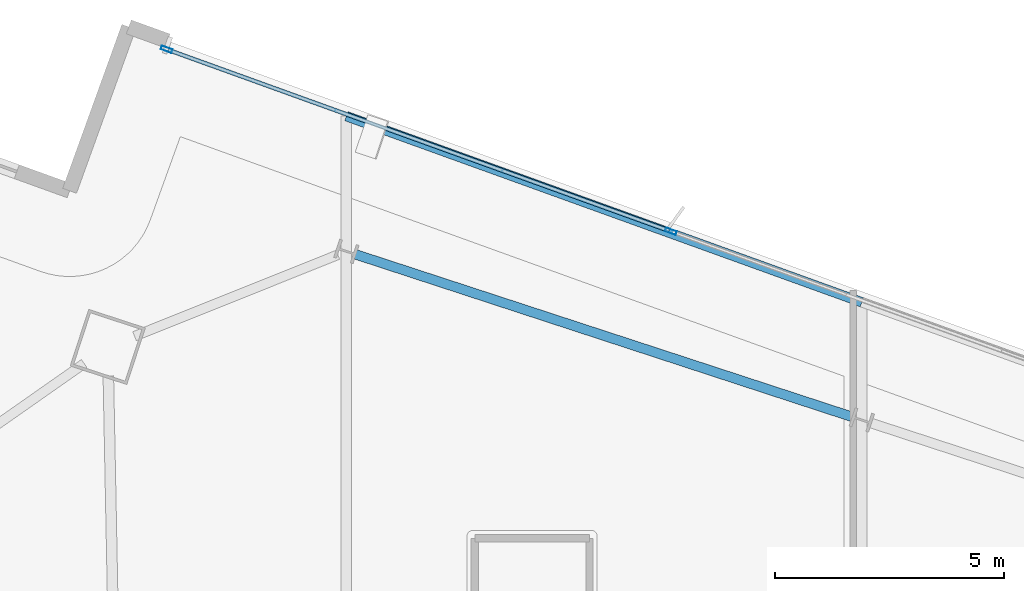
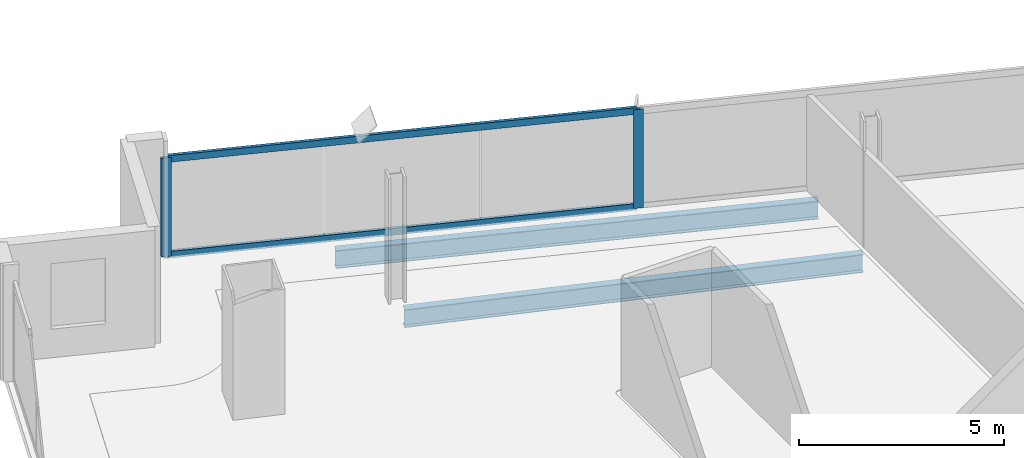
# One storey, part 14 of 27: 4 members, 2 beams, 1 element without a shape of its own.
"""IFC4 building model written with IfcOpenShell, lengths in metres."""

from ifc_helpers import new_model, si_unit, direction, frame, origin, origin_2d, place, context, subcontext, project, spatial, hollow_rectangle, i_section, extrude, material, material_profile, profile_set, type_object, element, aggregate, save


model = new_model("IFC4")

# Units and contexts
model_context = context("Model", 3, precision=1e-05, world=origin(), true_north=direction((0.0, 1.0)))
body_context = subcontext(model_context, "Body", "Model", "MODEL_VIEW")
ifc_project = project(units=[si_unit("LENGTHUNIT", "METRE"), si_unit("AREAUNIT", "SQUARE_METRE"), si_unit("VOLUMEUNIT", "CUBIC_METRE"), si_unit("PLANEANGLEUNIT", "RADIAN"), si_unit("MASSUNIT", "GRAM", prefix="KILO")], contexts=[model_context])

# Site, building, storey
site_placement = place(None, origin())
site = spatial("IfcSite", under=ifc_project, at=site_placement, CompositionType="ELEMENT")
building_placement = place(site_placement, origin())
building = spatial("IfcBuilding", under=site, at=building_placement, Name="Haldenkirk Collegiate Tower", CompositionType="ELEMENT")
storey_placement = place(building_placement, frame((0.0, 0.0, 263.699951171875)))
storey = spatial("IfcBuildingStorey", under=building, at=storey_placement, Name="L66", CompositionType="ELEMENT", Elevation=263.699951171875)

# Beams
ifc_material_1 = material(Name="Steel ASTM A992 Grade 50", Category="steel")
ifc_material_profile_1 = material_profile(ifc_material_1, i_section(OverallWidth=0.2099609375, OverallDepth=0.537109375, WebThickness=0.010986328125, FlangeThickness=0.017333984375, at=origin_2d()), Name="W21X68")
ifc_profile_set_1 = profile_set([ifc_material_profile_1], Name="Steel ASTM A992 Grade 50")
beam_type = type_object("IfcBeamType", Name="BM-SPANDREL-W21X68", PredefinedType="SPANDREL", material=ifc_profile_set_1)
beam_1_placement = place(storey_placement, frame((42.99755859375, 45.54296875, -0.538330078125), z_axis=(-0.950408846531, 0.311003254701, 0.0), x_axis=(-0.311003254701, -0.950408846531, 0.0)))
element("IfcBeam", 1, at=beam_1_placement, inside=storey, type_object=beam_type, Name="L66 perimeter spandrel beam 07", PredefinedType="SPANDREL", context=body_context, shape_type="SweptSolid", body=[
    extrude(i_section(OverallWidth=0.2099609375, OverallDepth=0.537109375, WebThickness=0.010986328125, FlangeThickness=0.017333984375, at=origin_2d()), origin(), (0.0, 0.0, 1.0), 11.421875),
])
beam_2_placement = place(storey_placement, frame((43.18994140625, 48.048583984375, -0.538330078125), z_axis=(-0.940585982763, 0.339555605211, 0.0), x_axis=(-0.339555605211, -0.940585982763, 0.0)))
element("IfcBeam", 2, at=beam_2_placement, inside=storey, type_object=beam_type, Name="L66 outer facade edge beam 2B", PredefinedType="SPANDREL", context=body_context, shape_type="SweptSolid", body=[
    extrude(i_section(OverallWidth=0.2099609375, OverallDepth=0.537109375, WebThickness=0.010986328125, FlangeThickness=0.017333984375, at=origin_2d()), origin(), (0.0, 0.0, 1.0), 11.950439453125),
])

# Curtain wall, members
ifc_material_2 = material(Name="Anodised architectural bronze aluminium", Category="aluminium")
curtain_wall_type = type_object("IfcCurtainWallType", Name="CW-SYS1B-CONVEX-HI", PredefinedType="USERDEFINED", material=ifc_material_2)
curtain_wall_placement = place(storey_placement, origin())
curtain_wall = element("IfcCurtainWall", 3, at=curtain_wall_placement, inside=storey, type_object=curtain_wall_type, Name="L66 Upper tower high-wind convex bronze unitised curtain wall", ObjectType="UNITISED CURTAIN WALL", PredefinedType="USERDEFINED")
ifc_material_profile_2 = material_profile(ifc_material_2, hollow_rectangle(XDim=0.0849609375, YDim=0.25, WallThickness=0.0048828125, at=origin_2d()), Name="CW-MUL-1B")
ifc_profile_set_2 = profile_set([ifc_material_profile_2], Name="Anodised architectural bronze aluminium")
member_type_1 = type_object("IfcMemberType", Name="CW-MUL-1B", PredefinedType="MULLION", material=ifc_profile_set_2)
member_1_placement = place(storey_placement, frame((28.028564453125, 53.564453125, 0.0), z_axis=(0.0, 0.0, 1.0), x_axis=(0.339556919618, 0.940585508255, 0.0)))
member_1 = element("IfcMember", 4, at=member_1_placement, type_object=member_type_1, Name="CW-1B mullion 1", PredefinedType="MULLION", context=body_context, shape_type="SweptSolid", body=[
    extrude(hollow_rectangle(XDim=0.0849609375, YDim=0.25, WallThickness=0.0048828125, at=origin_2d()), origin(), (0.0, 0.0, 1.0), 2.93798828125),
])
member_2_placement = place(storey_placement, frame((39.02490234375, 49.5947265625, 0.0), z_axis=(0.0, 0.0, 1.0), x_axis=(0.339556919618, 0.940585508255, 0.0)))
member_2 = element("IfcMember", 5, at=member_2_placement, type_object=member_type_1, Name="CW-1B mullion 2", PredefinedType="MULLION", context=body_context, shape_type="SweptSolid", body=[
    extrude(hollow_rectangle(XDim=0.0849609375, YDim=0.25, WallThickness=0.0048828125, at=origin_2d()), origin(), (0.0, 0.0, 1.0), 2.93798828125),
])
ifc_material_profile_3 = material_profile(ifc_material_2, hollow_rectangle(XDim=0.0849609375, YDim=0.199951171875, WallThickness=0.0048828125, at=origin_2d()), Name="CW-TRN-1B")
ifc_profile_set_3 = profile_set([ifc_material_profile_3], Name="Anodised architectural bronze aluminium")
member_type_2 = type_object("IfcMemberType", Name="CW-TRN-1B", PredefinedType="USERDEFINED", material=ifc_profile_set_3)
member_3_placement = place(storey_placement, frame((28.068603515625, 53.550048828125, 0.04248046875), z_axis=(0.940583203017, -0.339563305148, 0.0), x_axis=(0.339563305148, 0.940583203017, 0.0)))
member_3 = element("IfcMember", 6, at=member_3_placement, type_object=member_type_2, Name="CW-1B transom 1.1", ObjectType="TRANSOM", PredefinedType="USERDEFINED", context=body_context, shape_type="SweptSolid", body=[
    extrude(hollow_rectangle(XDim=0.0849609375, YDim=0.199951171875, WallThickness=0.0048828125, at=origin_2d()), origin(), (0.0, 0.0, 1.0), 11.60595703125),
])
member_4_placement = place(storey_placement, frame((28.068603515625, 53.550048828125, 2.8955078125), z_axis=(0.940583203017, -0.339563305148, 0.0), x_axis=(0.339563305148, 0.940583203017, 0.0)))
member_4 = element("IfcMember", 7, at=member_4_placement, type_object=member_type_2, Name="CW-1B transom 1.2", ObjectType="TRANSOM", PredefinedType="USERDEFINED", context=body_context, shape_type="SweptSolid", body=[
    extrude(hollow_rectangle(XDim=0.0849609375, YDim=0.199951171875, WallThickness=0.0048828125, at=origin_2d()), origin(), (0.0, 0.0, 1.0), 11.60595703125),
])
aggregate(curtain_wall, [member_1, member_2, member_3, member_4])

save(model, "model.ifc")
